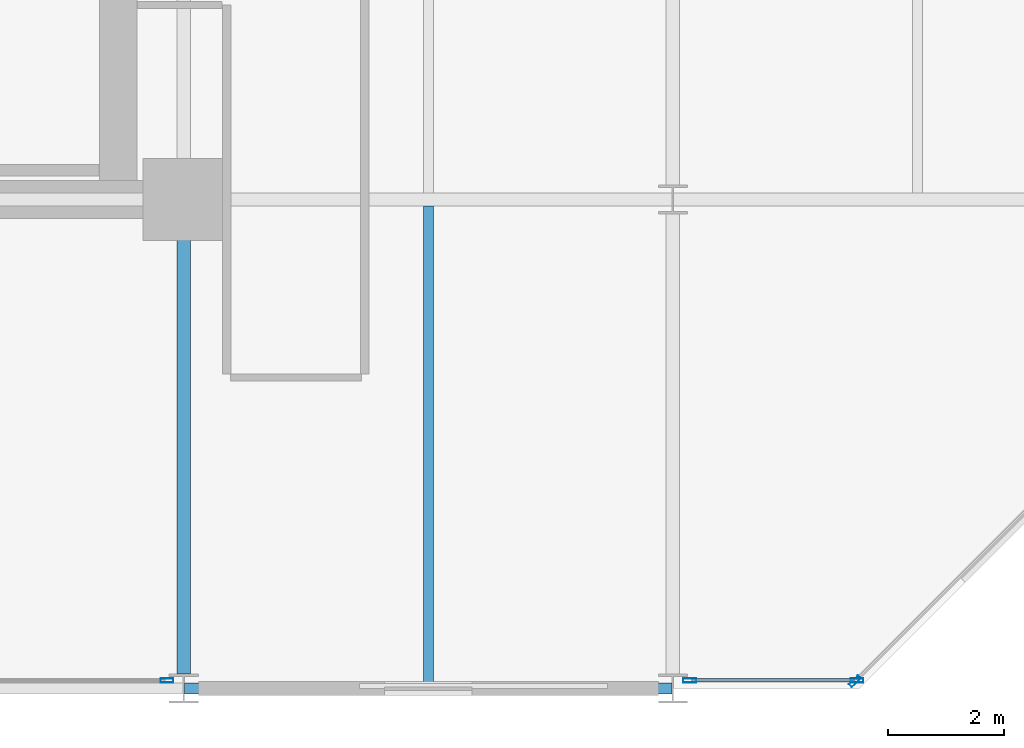
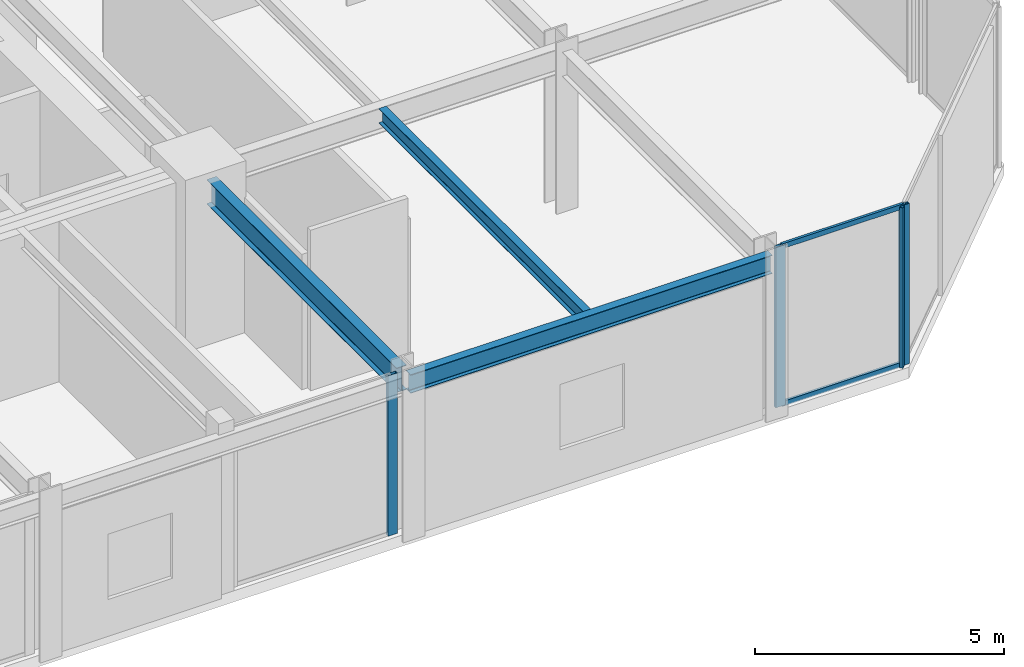
# One storey, part 9 of 24: 6 members, 3 beams, 3 elements without a shape of their own.
"""IFC4 building model written with IfcOpenShell, lengths in metres."""

from ifc_helpers import new_model, si_unit, direction, frame, origin, origin_2d, place, context, subcontext, project, spatial, hollow_rectangle, i_section, extrude, material, layer, layer_set, material_profile, profile_set, type_object, element, aggregate, save


model = new_model("IFC4")

# Units and contexts
model_context = context("Model", 3, precision=1e-05, world=origin(), true_north=direction((0.0, 1.0)))
body_context = subcontext(model_context, "Body", "Model", "MODEL_VIEW")
ifc_project = project(units=[si_unit("LENGTHUNIT", "METRE"), si_unit("AREAUNIT", "SQUARE_METRE"), si_unit("VOLUMEUNIT", "CUBIC_METRE"), si_unit("PLANEANGLEUNIT", "RADIAN"), si_unit("MASSUNIT", "GRAM", prefix="KILO")], contexts=[model_context])

# Site, building, storey
site_placement = place(None, origin())
site = spatial("IfcSite", under=ifc_project, at=site_placement, CompositionType="ELEMENT")
building_placement = place(site_placement, origin())
building = spatial("IfcBuilding", under=site, at=building_placement, Name="Nerrivon Quay Data Exchange", CompositionType="ELEMENT")
storey_placement = place(building_placement, frame((0.0, 0.0, 37.39990234375)))
storey = spatial("IfcBuildingStorey", under=building, at=storey_placement, Name="L08", CompositionType="ELEMENT", Elevation=37.39990234375)

# Beams
ifc_material_1 = material(Name="Steel Grade 350", Category="steel")
ifc_material_profile_1 = material_profile(ifc_material_1, i_section(OverallWidth=0.22802734375, OverallDepth=0.60205078125, WebThickness=0.010498046875, FlangeThickness=0.014892578125, FilletRadius=0.013916015625, at=origin_2d()), Name="610UB101")
ifc_profile_set_1 = profile_set([ifc_material_profile_1], Name="Steel Grade 350")
beam_type_1 = type_object("IfcBeamType", Name="BM-G2-610UB101", PredefinedType="BEAM", material=ifc_profile_set_1)
beam_1_placement = place(storey_placement, frame((33.60009765625, 0.25, 3.6240234375), z_axis=(0.0, 1.0, 0.0), x_axis=(-1.0, 0.0, 0.0)))
element("IfcBeam", 1, at=beam_1_placement, inside=storey, type_object=beam_type_1, Name="L08 NS Girder X=33.6 (0.0..8.4)", PredefinedType="BEAM", context=body_context, shape_type="SweptSolid", body=[
    extrude(i_section(OverallWidth=0.22802734375, OverallDepth=0.60205078125, WebThickness=0.010498046875, FlangeThickness=0.014892578125, FilletRadius=0.013916015625, at=origin_2d()), origin(), (0.0, 0.0, 1.0), 7.610107421875),
])
ifc_material_profile_2 = material_profile(ifc_material_1, i_section(OverallWidth=0.172119140625, OverallDepth=0.35888671875, WebThickness=0.008056640625, FlangeThickness=0.012939453125, FilletRadius=0.011474609375, at=origin_2d()), Name="360UB56.7")
ifc_profile_set_2 = profile_set([ifc_material_profile_2], Name="Steel Grade 350")
beam_type_2 = type_object("IfcBeamType", Name="BM-J3-360UB57", PredefinedType="JOIST", material=ifc_profile_set_2)
beam_2_placement = place(storey_placement, frame((37.800048828125, 0.094970703125, 3.74560546875), z_axis=(0.0, 1.0, 0.0), x_axis=(-1.0, 0.0, 0.0)))
element("IfcBeam", 2, at=beam_2_placement, inside=storey, type_object=beam_type_2, Name="L08 Secondary Joist X=37.8 (0.0..8.4)", PredefinedType="JOIST", context=body_context, shape_type="SweptSolid", body=[
    extrude(i_section(OverallWidth=0.172119140625, OverallDepth=0.35888671875, WebThickness=0.008056640625, FlangeThickness=0.012939453125, FilletRadius=0.011474609375, at=origin_2d()), origin(), (0.0, 0.0, 1.0), 8.1904296875),
])
ifc_material_profile_3 = material_profile(ifc_material_1, i_section(OverallWidth=0.18994140625, OverallDepth=0.4541015625, WebThickness=0.008544921875, FlangeThickness=0.0126953125, FilletRadius=0.011474609375, at=origin_2d()), Name="460UB67.1")
ifc_profile_set_3 = profile_set([ifc_material_profile_3], Name="Steel Grade 350")
beam_type_3 = type_object("IfcBeamType", Name="BM-SP1-460UB67", PredefinedType="SPANDREL", material=ifc_profile_set_3)
beam_3_placement = place(storey_placement, frame((33.614013671875, 0.0, 3.697998046875), z_axis=(1.0, 0.0, 0.0), x_axis=(0.0, 1.0, 0.0)))
element("IfcBeam", 3, at=beam_3_placement, inside=storey, type_object=beam_type_3, Name="L08 EW Girder Y=0.0 (33.6..42.0)", PredefinedType="SPANDREL", context=body_context, shape_type="SweptSolid", body=[
    extrude(i_section(OverallWidth=0.18994140625, OverallDepth=0.4541015625, WebThickness=0.008544921875, FlangeThickness=0.0126953125, FilletRadius=0.011474609375, at=origin_2d()), origin(), (0.0, 0.0, 1.0), 8.3720703125),
])

# Curtain wall, member
ifc_material_2 = material(Name="Anodised aluminium 6063-T6", Category="aluminium")
ifc_layer = layer(ifc_material_2, 0.219970703125)
ifc_layer_set = layer_set([ifc_layer], Name="Anodised aluminium 6063-T6")
curtain_wall_type = type_object("IfcCurtainWallType", Name="CW-SYS-01", PredefinedType="NOTDEFINED", material=ifc_layer_set)
curtain_wall_1_placement = place(storey_placement, origin())
curtain_wall_1 = element("IfcCurtainWall", 4, at=curtain_wall_1_placement, inside=storey, type_object=curtain_wall_type, Name="L08 Unitised Curtain Wall 1", PredefinedType="NOTDEFINED")
ifc_material_profile_4 = material_profile(ifc_material_2, hollow_rectangle(XDim=0.074951171875, YDim=0.219970703125, WallThickness=0.00390625, at=origin_2d()), Name="ALU-MULL-220x75")
ifc_profile_set_4 = profile_set([ifc_material_profile_4], Name="Anodised aluminium 6063-T6")
member_type_1 = type_object("IfcMemberType", Name="CWM-220x75", PredefinedType="MULLION", material=ifc_profile_set_4)
member_1_placement = place(storey_placement, frame((45.12744140625, 0.12548828125, 0.0), z_axis=(0.0, 0.0, 1.0), x_axis=(0.707106781187, -0.707106781187, 0.0)))
member_1 = element("IfcMember", 5, at=member_1_placement, type_object=member_type_1, Name="CW01 mullion 2", PredefinedType="MULLION", context=body_context, shape_type="SweptSolid", body=[
    extrude(hollow_rectangle(XDim=0.074951171875, YDim=0.219970703125, WallThickness=0.00390625, at=origin_2d()), origin(), (0.0, 0.0, 1.0), 3.925048828125),
])
aggregate(curtain_wall_1, [member_1])

# Curtain wall, members
curtain_wall_2_placement = place(storey_placement, origin())
curtain_wall_2 = element("IfcCurtainWall", 6, at=curtain_wall_2_placement, inside=storey, type_object=curtain_wall_type, Name="L08 Unitised Curtain Wall 2", PredefinedType="NOTDEFINED")
member_2_placement = place(storey_placement, frame((45.16259765625, 0.139892578125, 0.0), z_axis=(0.0, 0.0, 1.0), x_axis=(0.0, -1.0, 0.0)))
member_2 = element("IfcMember", 7, at=member_2_placement, type_object=member_type_1, Name="CW01 mullion 1", PredefinedType="MULLION", context=body_context, shape_type="SweptSolid", body=[
    extrude(hollow_rectangle(XDim=0.074951171875, YDim=0.219970703125, WallThickness=0.00390625, at=origin_2d()), origin(), (0.0, 0.0, 1.0), 3.925048828125),
])
member_3_placement = place(storey_placement, frame((42.28759765625, 0.139892578125, 0.0), z_axis=(0.0, 0.0, 1.0), x_axis=(0.0, -1.0, 0.0)))
member_3 = element("IfcMember", 8, at=member_3_placement, type_object=member_type_1, Name="CW01 mullion 2", PredefinedType="MULLION", context=body_context, shape_type="SweptSolid", body=[
    extrude(hollow_rectangle(XDim=0.074951171875, YDim=0.219970703125, WallThickness=0.00390625, at=origin_2d()), origin(), (0.0, 0.0, 1.0), 3.925048828125),
])

# Curtain wall, member
curtain_wall_3_placement = place(storey_placement, origin())
curtain_wall_3 = element("IfcCurtainWall", 9, at=curtain_wall_3_placement, inside=storey, type_object=curtain_wall_type, Name="L08 Unitised Curtain Wall 4", PredefinedType="NOTDEFINED")
member_4_placement = place(storey_placement, frame((33.3125, 0.139892578125, 0.0), z_axis=(0.0, 0.0, 1.0), x_axis=(0.0, -1.0, 0.0)))
member_4 = element("IfcMember", 10, at=member_4_placement, type_object=member_type_1, Name="CW01 mullion 1", PredefinedType="MULLION", context=body_context, shape_type="SweptSolid", body=[
    extrude(hollow_rectangle(XDim=0.074951171875, YDim=0.219970703125, WallThickness=0.00390625, at=origin_2d()), origin(), (0.0, 0.0, 1.0), 3.925048828125),
])
aggregate(curtain_wall_3, [member_4])

# Member
ifc_material_profile_5 = material_profile(ifc_material_2, hollow_rectangle(XDim=0.06005859375, YDim=0.1201171875, WallThickness=0.003173828125, at=origin_2d()), Name="ALU-TRAN-120x60")
ifc_profile_set_5 = profile_set([ifc_material_profile_5], Name="Anodised aluminium 6063-T6")
member_type_2 = type_object("IfcMemberType", Name="CWT-120x60", PredefinedType="USERDEFINED", material=ifc_profile_set_5)
member_5_placement = place(storey_placement, frame((45.125, 0.139892578125, 0.03271484375), z_axis=(-1.0, 0.0, 0.0), x_axis=(0.0, -1.0, 0.0)))
member_5 = element("IfcMember", 11, at=member_5_placement, type_object=member_type_2, Name="CW01 transom 1.1", ObjectType="TRANSOM", PredefinedType="USERDEFINED", context=body_context, shape_type="SweptSolid", body=[
    extrude(hollow_rectangle(XDim=0.06005859375, YDim=0.1201171875, WallThickness=0.003173828125, at=origin_2d()), origin(), (0.0, 0.0, 1.0), 2.800048828125),
])

member_6_placement = place(storey_placement, frame((45.125, 0.139892578125, 3.892578125), z_axis=(-1.0, 0.0, 0.0), x_axis=(0.0, -1.0, 0.0)))
member_6 = element("IfcMember", 12, at=member_6_placement, type_object=member_type_2, Name="CW01 transom 1.2", ObjectType="TRANSOM", PredefinedType="USERDEFINED", context=body_context, shape_type="SweptSolid", body=[
    extrude(hollow_rectangle(XDim=0.06005859375, YDim=0.1201171875, WallThickness=0.003173828125, at=origin_2d()), origin(), (0.0, 0.0, 1.0), 2.800048828125),
])

aggregate(curtain_wall_2, [member_2, member_3, member_5, member_6])

save(model, "model.ifc")
